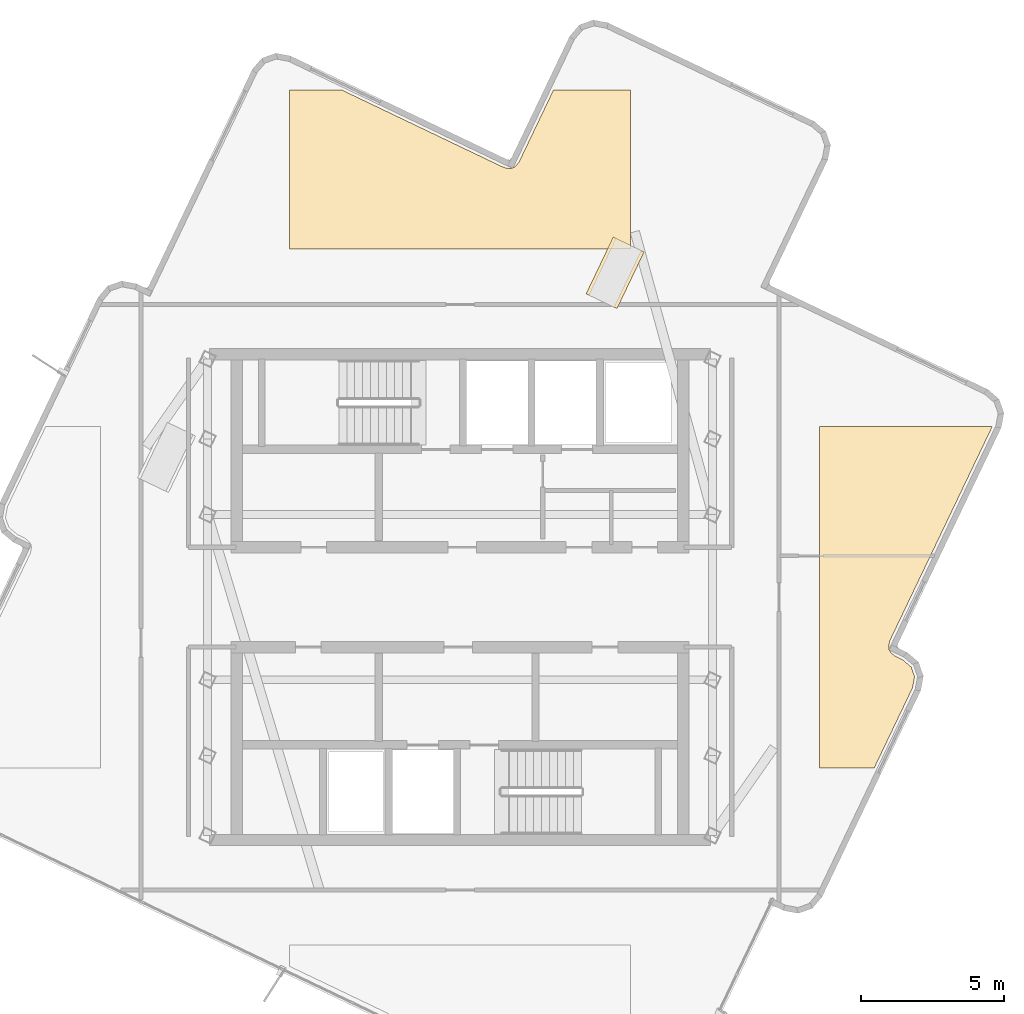
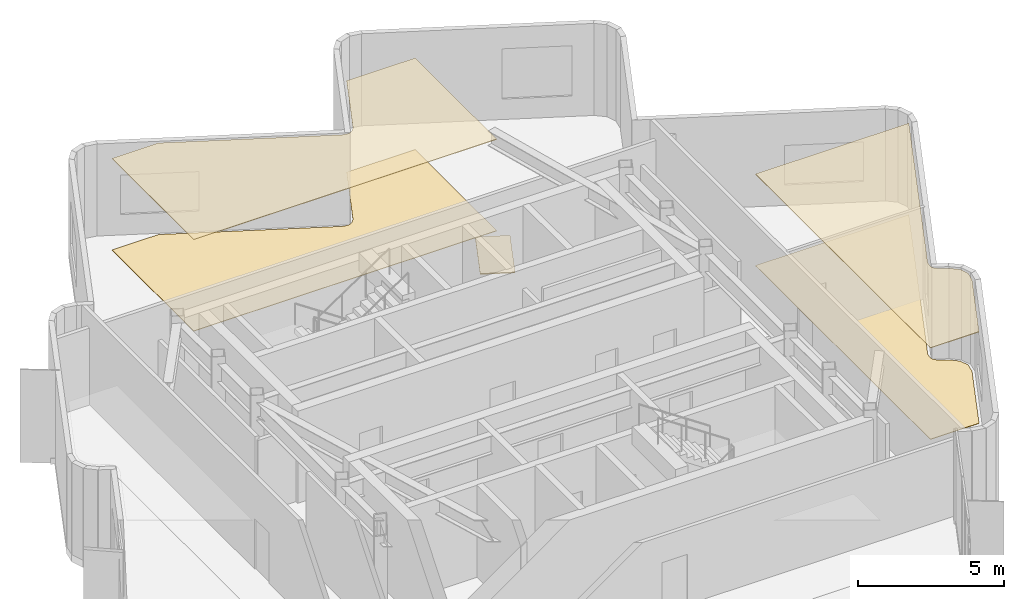
# One storey, part 7 of 8: 5 coverings.
"""IFC4 building model written with IfcOpenShell, lengths in metres."""

from ifc_helpers import new_model, si_unit, direction, frame, origin, origin_2d, place, context, subcontext, project, spatial, polyline, rectangle, outline, extrude, material, layer, layer_set, type_object, element, save


model = new_model("IFC4")

# Units and contexts
model_context = context("Model", 3, precision=1e-05, world=origin(), true_north=direction((0.0, 1.0)))
body_context = subcontext(model_context, "Body", "Model", "MODEL_VIEW")
ifc_project = project(units=[si_unit("LENGTHUNIT", "METRE"), si_unit("AREAUNIT", "SQUARE_METRE"), si_unit("VOLUMEUNIT", "CUBIC_METRE"), si_unit("PLANEANGLEUNIT", "RADIAN"), si_unit("MASSUNIT", "GRAM", prefix="KILO")], contexts=[model_context])

# Site, building, storey
site_placement = place(None, origin())
site = spatial("IfcSite", under=ifc_project, at=site_placement, CompositionType="ELEMENT")
building_placement = place(site_placement, origin())
building = spatial("IfcBuilding", under=site, at=building_placement, Name="Solmarez Civic Tower", CompositionType="ELEMENT")
storey_placement = place(building_placement, frame((0.0, 0.0, 293.39990234375)))
storey = spatial("IfcBuildingStorey", under=building, at=storey_placement, Name="L79 Crown", CompositionType="ELEMENT", Elevation=293.39990234375)

# Coverings
ifc_material_1 = material(Name="Perforated Mineral-Fibre Acoustic Ceiling")
ifc_layer_1 = layer(ifc_material_1, 0.02490234375)
ifc_layer_set_1 = layer_set([ifc_layer_1], Name="Perforated Mineral-Fibre Acoustic Ceiling")
covering_type_1 = type_object("IfcCoveringType", Name="COV-CEIL-ACOUSTIC", PredefinedType="CEILING", material=ifc_layer_set_1)
covering_1_placement = place(storey_placement, frame((0.0, 0.0, 3.815185546875)))
element("IfcCovering", 1, at=covering_1_placement, inside=storey, type_object=covering_type_1, Name="L79 Crown Suspended Acoustic Ceiling 1", PredefinedType="CEILING", context=body_context, shape_type="SweptSolid", body=[
    extrude(outline(polyline([(5.97998046875, 17.780029296875), (3.277099609375, 17.780029296875), (2.0791015625, 15.27587890625), (2.075927734375, 15.27001953125), (2.06201171875, 15.24609375), (2.05810546875, 15.239990234375), (2.047119140625, 15.22509765625), (2.04296875, 15.219970703125), (2.0380859375, 15.214111328125), (1.968994140625, 15.133056640625), (1.965087890625, 15.1279296875), (1.951904296875, 15.113037109375), (1.93701171875, 15.10009765625), (1.930908203125, 15.094970703125), (1.912109375, 15.0810546875), (1.906005859375, 15.076904296875), (1.89306640625, 15.069091796875), (1.885986328125, 15.06494140625), (1.875, 15.05908203125), (1.868896484375, 15.055908203125), (1.847900390625, 15.047119140625), (1.840087890625, 15.0439453125), (1.822998046875, 15.0380859375), (1.81591796875, 15.035888671875), (1.800048828125, 15.031982421875), (1.782958984375, 15.030029296875), (1.77490234375, 15.029052734375), (1.748046875, 15.027099609375), (1.73291015625, 15.027099609375), (1.701904296875, 15.029052734375), (1.695068359375, 15.030029296875), (1.68505859375, 15.031982421875), (1.5791015625, 15.052001953125), (1.56005859375, 15.055908203125), (1.552978515625, 15.05810546875), (1.5400390625, 15.06201171875), (1.52197265625, 15.068115234375), (1.5048828125, 15.075927734375), (-4.14892578125, 17.780029296875), (-5.97998046875, 17.780029296875), (-5.97998046875, 12.199951171875), (5.97998046875, 12.199951171875), (5.97998046875, 17.780029296875)])), origin(), (0.0, 0.0, 1.0), 0.02490234375),
])
covering_2_placement = place(storey_placement, frame((0.0, 0.0, 3.815185546875)))
element("IfcCovering", 2, at=covering_2_placement, inside=storey, type_object=covering_type_1, Name="L79 Crown Suspended Acoustic Ceiling 3", PredefinedType="CEILING", context=body_context, shape_type="SweptSolid", body=[
    extrude(outline(polyline([(12.60009765625, 5.97998046875), (12.60009765625, -5.97998046875), (14.52099609375, -5.97998046875), (15.861083984375, -3.178955078125), (15.93408203125, -2.7880859375), (15.81494140625, -2.450927734375), (15.512939453125, -2.193115234375), (15.27587890625, -2.0791015625), (15.27001953125, -2.075927734375), (15.24609375, -2.06201171875), (15.239990234375, -2.05810546875), (15.22509765625, -2.047119140625), (15.219970703125, -2.04296875), (15.214111328125, -2.0380859375), (15.133056640625, -1.968994140625), (15.1279296875, -1.965087890625), (15.113037109375, -1.951904296875), (15.10009765625, -1.93701171875), (15.094970703125, -1.930908203125), (15.0810546875, -1.912109375), (15.076904296875, -1.906005859375), (15.069091796875, -1.89306640625), (15.06494140625, -1.885986328125), (15.05908203125, -1.875), (15.055908203125, -1.868896484375), (15.047119140625, -1.847900390625), (15.0439453125, -1.840087890625), (15.0380859375, -1.822998046875), (15.035888671875, -1.81591796875), (15.031982421875, -1.800048828125), (15.030029296875, -1.782958984375), (15.029052734375, -1.77490234375), (15.027099609375, -1.748046875), (15.027099609375, -1.73291015625), (15.029052734375, -1.701904296875), (15.030029296875, -1.695068359375), (15.031982421875, -1.68505859375), (15.052001953125, -1.5791015625), (15.055908203125, -1.56005859375), (15.05810546875, -1.552978515625), (15.06201171875, -1.5400390625), (15.068115234375, -1.52197265625), (15.075927734375, -1.5048828125), (18.656005859375, 5.97998046875), (12.60009765625, 5.97998046875)])), origin(), (0.0, 0.0, 1.0), 0.02490234375),
])
ifc_material_2 = material(Name="Polished Tropical Stone Terrazzo Flooring", Category="masonry")
ifc_layer_2 = layer(ifc_material_2, 0.02001953125)
ifc_layer_set_2 = layer_set([ifc_layer_2], Name="Polished Tropical Stone Terrazzo Flooring")
covering_type_2 = type_object("IfcCoveringType", Name="COV-FLOOR-TERRAZZO", PredefinedType="FLOORING", material=ifc_layer_set_2)
covering_3_placement = place(storey_placement, origin())
element("IfcCovering", 3, at=covering_3_placement, inside=storey, type_object=covering_type_2, Name="L79 Crown Terrazzo Floor Finish 1", PredefinedType="FLOORING", context=body_context, shape_type="SweptSolid", body=[
    extrude(outline(polyline([(5.97998046875, 17.780029296875), (3.277099609375, 17.780029296875), (2.0791015625, 15.27587890625), (2.075927734375, 15.27001953125), (2.06201171875, 15.24609375), (2.05810546875, 15.239990234375), (2.047119140625, 15.22509765625), (2.04296875, 15.219970703125), (2.0380859375, 15.214111328125), (1.968994140625, 15.133056640625), (1.965087890625, 15.1279296875), (1.951904296875, 15.113037109375), (1.93701171875, 15.10009765625), (1.930908203125, 15.094970703125), (1.912109375, 15.0810546875), (1.906005859375, 15.076904296875), (1.89306640625, 15.069091796875), (1.885986328125, 15.06494140625), (1.875, 15.05908203125), (1.868896484375, 15.055908203125), (1.847900390625, 15.047119140625), (1.840087890625, 15.0439453125), (1.822998046875, 15.0380859375), (1.81591796875, 15.035888671875), (1.800048828125, 15.031982421875), (1.782958984375, 15.030029296875), (1.77490234375, 15.029052734375), (1.748046875, 15.027099609375), (1.73291015625, 15.027099609375), (1.701904296875, 15.029052734375), (1.695068359375, 15.030029296875), (1.68505859375, 15.031982421875), (1.5791015625, 15.052001953125), (1.56005859375, 15.055908203125), (1.552978515625, 15.05810546875), (1.5400390625, 15.06201171875), (1.52197265625, 15.068115234375), (1.5048828125, 15.075927734375), (-4.14892578125, 17.780029296875), (-5.97998046875, 17.780029296875), (-5.97998046875, 12.199951171875), (5.97998046875, 12.199951171875), (5.97998046875, 17.780029296875)])), origin(), (0.0, 0.0, 1.0), 0.02001953125),
])
covering_4_placement = place(storey_placement, origin())
element("IfcCovering", 4, at=covering_4_placement, inside=storey, type_object=covering_type_2, Name="L79 Crown Terrazzo Floor Finish 3", PredefinedType="FLOORING", context=body_context, shape_type="SweptSolid", body=[
    extrude(outline(polyline([(12.60009765625, 5.97998046875), (12.60009765625, -5.97998046875), (14.52099609375, -5.97998046875), (15.861083984375, -3.178955078125), (15.93408203125, -2.7880859375), (15.81494140625, -2.450927734375), (15.512939453125, -2.193115234375), (15.27587890625, -2.0791015625), (15.27001953125, -2.075927734375), (15.24609375, -2.06201171875), (15.239990234375, -2.05810546875), (15.22509765625, -2.047119140625), (15.219970703125, -2.04296875), (15.214111328125, -2.0380859375), (15.133056640625, -1.968994140625), (15.1279296875, -1.965087890625), (15.113037109375, -1.951904296875), (15.10009765625, -1.93701171875), (15.094970703125, -1.930908203125), (15.0810546875, -1.912109375), (15.076904296875, -1.906005859375), (15.069091796875, -1.89306640625), (15.06494140625, -1.885986328125), (15.05908203125, -1.875), (15.055908203125, -1.868896484375), (15.047119140625, -1.847900390625), (15.0439453125, -1.840087890625), (15.0380859375, -1.822998046875), (15.035888671875, -1.81591796875), (15.031982421875, -1.800048828125), (15.030029296875, -1.782958984375), (15.029052734375, -1.77490234375), (15.027099609375, -1.748046875), (15.027099609375, -1.73291015625), (15.029052734375, -1.701904296875), (15.030029296875, -1.695068359375), (15.031982421875, -1.68505859375), (15.052001953125, -1.5791015625), (15.055908203125, -1.56005859375), (15.05810546875, -1.552978515625), (15.06201171875, -1.5400390625), (15.068115234375, -1.52197265625), (15.075927734375, -1.5048828125), (18.656005859375, 5.97998046875), (12.60009765625, 5.97998046875)])), origin(), (0.0, 0.0, 1.0), 0.02001953125),
])
ifc_material_3 = material(Name="Bronze Anodised Aluminium Exterior Soffit Cladding", Category="aluminium")
ifc_layer_3 = layer(ifc_material_3, 0.0400390625)
ifc_layer_set_3 = layer_set([ifc_layer_3], Name="Bronze Anodised Aluminium Exterior Soffit Cladding")
covering_type_3 = type_object("IfcCoveringType", Name="COV-SOFFIT-CLAD", PredefinedType="CLADDING", material=ifc_layer_set_3)
covering_5_placement = place(storey_placement, frame((5.43603515625, 11.366943359375, -0.31982421875), z_axis=(0.0, 0.0, 1.0), x_axis=(0.431456045681, 0.902133959368, 0.0)))
element("IfcCovering", 5, at=covering_5_placement, inside=storey, type_object=covering_type_3, Name="L79 Crown Crown Soffit Cladding Panel 1", PredefinedType="CLADDING", context=body_context, shape_type="SweptSolid", body=[
    extrude(rectangle(XDim=2.199951171875, YDim=1.199951171875, at=origin_2d()), origin(), (0.0, 0.0, 1.0), 0.0400390625),
])

save(model, "model.ifc")
